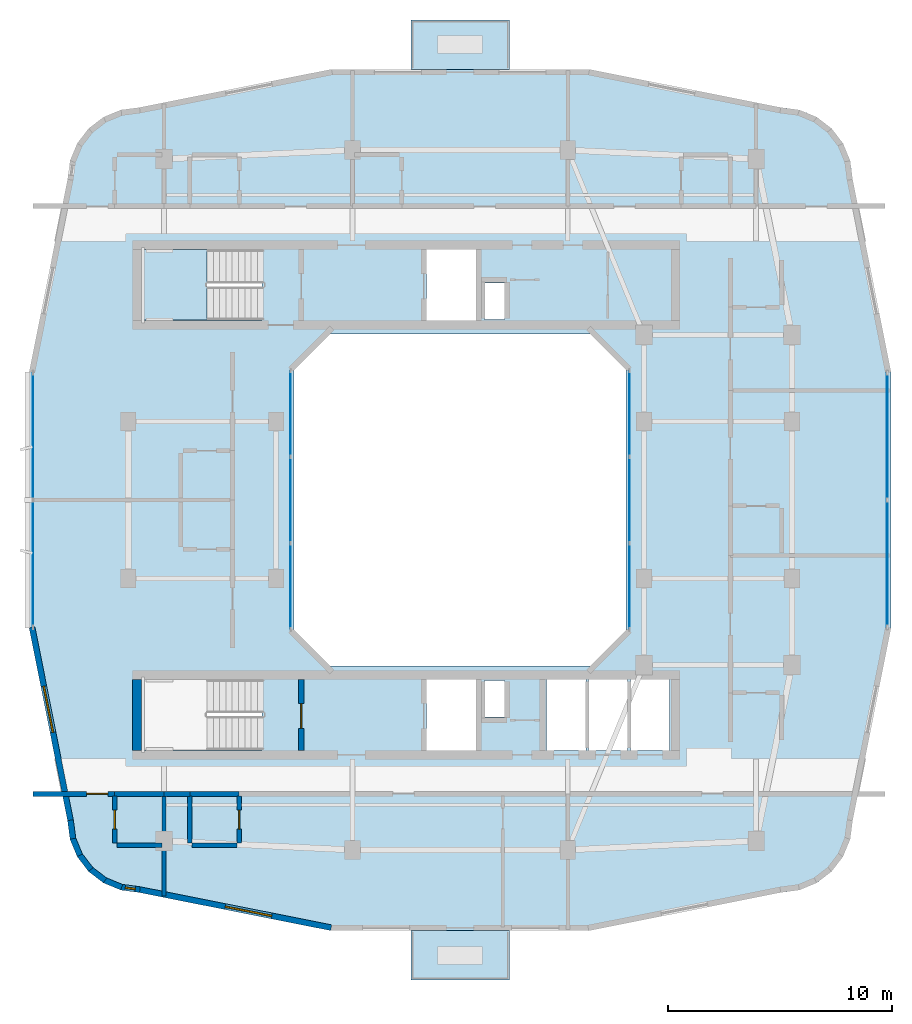
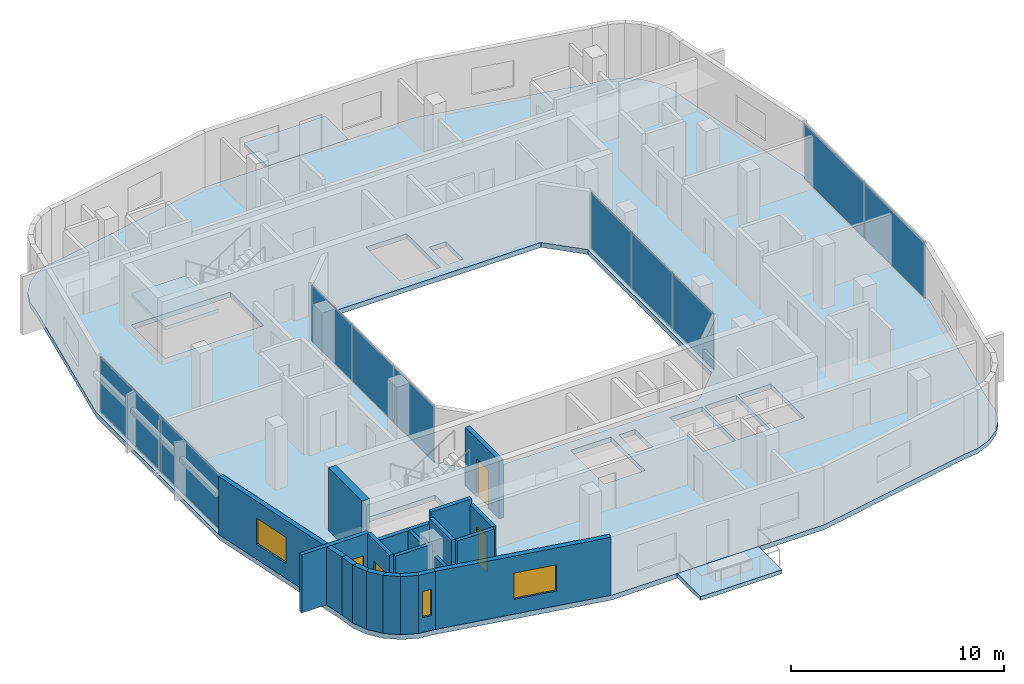
# One storey, part 5 of 13: 20 walls, 10 plates, 4 doors, 4 slabs, 3 windows, 7 openings, 5 elements without a shape of their own.
"""IFC4 building model written with IfcOpenShell, lengths in metres."""

from ifc_helpers import new_model, si_unit, derived_unit, direction, frame, frame_2d, origin, origin_2d, place, context, subcontext, project, spatial, polyline, rectangle, outline, extrude, material, layer, layer_set, type_object, element, fill, aggregate, save


model = new_model("IFC4")

# Units and contexts
model_context = context("Model", 3, precision=1e-05, world=origin(), true_north=direction((0.0, 1.0)))
body_context = subcontext(model_context, "Body", "Model", "MODEL_VIEW")
ifc_project = project(units=[si_unit("LENGTHUNIT", "METRE"), si_unit("AREAUNIT", "SQUARE_METRE"), si_unit("VOLUMEUNIT", "CUBIC_METRE"), si_unit("PLANEANGLEUNIT", "RADIAN"), si_unit("MASSUNIT", "GRAM", prefix="KILO"), derived_unit("THERMALTRANSMITTANCEUNIT", [(si_unit("POWERUNIT", "WATT"), 1), (si_unit("LENGTHUNIT", "METRE"), -2), (si_unit("THERMODYNAMICTEMPERATUREUNIT", "KELVIN"), -1)])], contexts=[model_context])

# Site, building, storey
site_placement = place(None, origin())
site = spatial("IfcSite", under=ifc_project, at=site_placement, CompositionType="ELEMENT")
building_placement = place(site_placement, origin())
building = spatial("IfcBuilding", under=site, at=building_placement, Name="Kivonza Crest Hotel", CompositionType="ELEMENT")
storey_placement = place(building_placement, frame((0.0, 0.0, 220.699951171875)))
storey = spatial("IfcBuildingStorey", under=building, at=storey_placement, Name="L60", CompositionType="ELEMENT", Elevation=220.699951171875)

# Curtain wall, plates
ifc_material_1 = material(Name="Anodised bronze aluminium and low-E double glazing", Category="aluminium")
ifc_layer_1 = layer(ifc_material_1, 0.159912109375)
ifc_layer_set_1 = layer_set([ifc_layer_1], Name="Anodised bronze aluminium and low-E double glazing")
curtain_wall_type_1 = type_object("IfcCurtainWallType", Name="CW-SYS-5", PredefinedType="NOTDEFINED", material=ifc_layer_set_1)
curtain_wall_1_placement = place(storey_placement, origin())
curtain_wall_1 = element("IfcCurtainWall", 1, at=curtain_wall_1_placement, inside=storey, type_object=curtain_wall_type_1, Name="L60 unitised curtain wall CW-WELL-T1-L60-3", PredefinedType="NOTDEFINED")
ifc_material_2 = material(Name="Solar-control low-E double glazing", Category="glass")
ifc_layer_2 = layer(ifc_material_2, 0.028076171875)
ifc_layer_set_2 = layer_set([ifc_layer_2], Name="Solar-control low-E double glazing")
plate_type_1 = type_object("IfcPlateType", Name="CW-PNL-28", PredefinedType="CURTAIN_PANEL", material=ifc_layer_set_2)
plate_1_placement = place(storey_placement, frame((28.56005859375, 21.149658203125, 0.065185546875), z_axis=(0.0, 0.0, 1.0), x_axis=(0.0, 1.0, 0.0)))
plate_1 = element("IfcPlate", 2, at=plate_1_placement, type_object=plate_type_1, Name="CW-5 panel 1.1", PredefinedType="CURTAIN_PANEL", context=body_context, shape_type="SweptSolid", body=[
    extrude(rectangle(XDim=3.769287109375, YDim=0.028076171875, at=origin_2d()), origin(), (0.0, 0.0, 1.0), 3.18994140625),
])
plate_2_placement = place(storey_placement, frame((28.56005859375, 25.0, 0.065185546875), z_axis=(0.0, 0.0, 1.0), x_axis=(0.0, 1.0, 0.0)))
plate_2 = element("IfcPlate", 3, at=plate_2_placement, type_object=plate_type_1, Name="CW-5 panel 2.1", PredefinedType="CURTAIN_PANEL", context=body_context, shape_type="SweptSolid", body=[
    extrude(rectangle(XDim=3.8017578125, YDim=0.028076171875, at=origin_2d()), origin(), (0.0, 0.0, 1.0), 3.18994140625),
])
plate_3_placement = place(storey_placement, frame((28.56005859375, 28.850341796875, 0.065185546875), z_axis=(0.0, 0.0, 1.0), x_axis=(0.0, 1.0, 0.0)))
plate_3 = element("IfcPlate", 4, at=plate_3_placement, type_object=plate_type_1, Name="CW-5 panel 3.1", PredefinedType="CURTAIN_PANEL", context=body_context, shape_type="SweptSolid", body=[
    extrude(rectangle(XDim=3.769287109375, YDim=0.028076171875, at=origin_2d()), origin(), (0.0, 0.0, 1.0), 3.18994140625),
])
aggregate(curtain_wall_1, [plate_1, plate_2, plate_3])

curtain_wall_2_placement = place(storey_placement, origin())
curtain_wall_2 = element("IfcCurtainWall", 5, at=curtain_wall_2_placement, inside=storey, type_object=curtain_wall_type_1, Name="L60 unitised curtain wall CW-WELL-T1-L60-7", PredefinedType="NOTDEFINED")
plate_4_placement = place(storey_placement, frame((13.43994140625, 28.850341796875, 0.065185546875), z_axis=(0.0, 0.0, 1.0), x_axis=(0.0, -1.0, 0.0)))
plate_4 = element("IfcPlate", 6, at=plate_4_placement, type_object=plate_type_1, Name="CW-5 panel 1.1", PredefinedType="CURTAIN_PANEL", context=body_context, shape_type="SweptSolid", body=[
    extrude(rectangle(XDim=3.769287109375, YDim=0.028076171875, at=origin_2d()), origin(), (0.0, 0.0, 1.0), 3.18994140625),
])
plate_5_placement = place(storey_placement, frame((13.43994140625, 25.0, 0.065185546875), z_axis=(0.0, 0.0, 1.0), x_axis=(0.0, -1.0, 0.0)))
plate_5 = element("IfcPlate", 7, at=plate_5_placement, type_object=plate_type_1, Name="CW-5 panel 2.1", PredefinedType="CURTAIN_PANEL", context=body_context, shape_type="SweptSolid", body=[
    extrude(rectangle(XDim=3.8017578125, YDim=0.028076171875, at=origin_2d()), origin(), (0.0, 0.0, 1.0), 3.18994140625),
])
plate_6_placement = place(storey_placement, frame((13.43994140625, 21.149658203125, 0.065185546875), z_axis=(0.0, 0.0, 1.0), x_axis=(0.0, -1.0, 0.0)))
plate_6 = element("IfcPlate", 8, at=plate_6_placement, type_object=plate_type_1, Name="CW-5 panel 3.1", PredefinedType="CURTAIN_PANEL", context=body_context, shape_type="SweptSolid", body=[
    extrude(rectangle(XDim=3.769287109375, YDim=0.028076171875, at=origin_2d()), origin(), (0.0, 0.0, 1.0), 3.18994140625),
])
aggregate(curtain_wall_2, [plate_4, plate_5, plate_6])

ifc_layer_3 = layer(ifc_material_1, 0.179931640625)
ifc_layer_set_3 = layer_set([ifc_layer_3], Name="Anodised bronze aluminium and low-E double glazing")
curtain_wall_type_2 = type_object("IfcCurtainWallType", Name="CW-SYS-3", PredefinedType="NOTDEFINED", material=ifc_layer_set_3)
curtain_wall_3_placement = place(storey_placement, origin())
curtain_wall_3 = element("IfcCurtainWall", 9, at=curtain_wall_3_placement, inside=storey, type_object=curtain_wall_type_2, Name="L60 unitised curtain wall CW-T1-L60-17", PredefinedType="NOTDEFINED")
ifc_material_3 = material(Name="Acoustic triple-laminated low-E glazing", Category="glass")
ifc_layer_4 = layer(ifc_material_3, 0.035888671875)
ifc_layer_set_4 = layer_set([ifc_layer_4], Name="Acoustic triple-laminated low-E glazing")
plate_type_2 = type_object("IfcPlateType", Name="CW-PNL-36", PredefinedType="CURTAIN_PANEL", material=ifc_layer_set_4)
plate_7_placement = place(storey_placement, frame((40.0400390625, 22.15869140625, 0.0751953125), z_axis=(0.0, 0.0, 1.0), x_axis=(0.0, 1.0, 0.0)))
plate_7 = element("IfcPlate", 10, at=plate_7_placement, type_object=plate_type_2, Name="CW-3 panel 1.1", PredefinedType="CURTAIN_PANEL", context=body_context, shape_type="SweptSolid", body=[
    extrude(rectangle(XDim=5.607421875, YDim=0.035888671875, at=origin_2d()), origin(), (0.0, 0.0, 1.0), 3.169921875),
])
plate_8_placement = place(storey_placement, frame((40.0400390625, 27.84130859375, 0.0751953125), z_axis=(0.0, 0.0, 1.0), x_axis=(0.0, 1.0, 0.0)))
plate_8 = element("IfcPlate", 11, at=plate_8_placement, type_object=plate_type_2, Name="CW-3 panel 2.1", PredefinedType="CURTAIN_PANEL", context=body_context, shape_type="SweptSolid", body=[
    extrude(rectangle(XDim=5.607421875, YDim=0.035888671875, at=origin_2d()), origin(), (0.0, 0.0, 1.0), 3.169921875),
])
aggregate(curtain_wall_3, [plate_7, plate_8])

curtain_wall_4_placement = place(storey_placement, origin())
curtain_wall_4 = element("IfcCurtainWall", 12, at=curtain_wall_4_placement, inside=storey, type_object=curtain_wall_type_2, Name="L60 unitised curtain wall CW-T1-L60-35", PredefinedType="NOTDEFINED")
plate_9_placement = place(storey_placement, frame((1.9599609375, 27.84130859375, 0.0751953125), z_axis=(0.0, 0.0, 1.0), x_axis=(0.0, -1.0, 0.0)))
plate_9 = element("IfcPlate", 13, at=plate_9_placement, type_object=plate_type_2, Name="CW-3 panel 1.1", PredefinedType="CURTAIN_PANEL", context=body_context, shape_type="SweptSolid", body=[
    extrude(rectangle(XDim=5.607421875, YDim=0.035888671875, at=origin_2d()), origin(), (0.0, 0.0, 1.0), 3.169921875),
])
plate_10_placement = place(storey_placement, frame((1.9599609375, 22.15869140625, 0.0751953125), z_axis=(0.0, 0.0, 1.0), x_axis=(0.0, -1.0, 0.0)))
plate_10 = element("IfcPlate", 14, at=plate_10_placement, type_object=plate_type_2, Name="CW-3 panel 2.1", PredefinedType="CURTAIN_PANEL", context=body_context, shape_type="SweptSolid", body=[
    extrude(rectangle(XDim=5.607421875, YDim=0.035888671875, at=origin_2d()), origin(), (0.0, 0.0, 1.0), 3.169921875),
])
aggregate(curtain_wall_4, [plate_9, plate_10])

# Slab
ifc_material_4 = material(Name="Concrete C40/50", Category="concrete")
ifc_layer_5 = layer(ifc_material_4, 0.280029296875)
ifc_layer_set_5 = layer_set([ifc_layer_5], Name="Concrete C40/50")
slab_type_1 = type_object("IfcSlabType", Name="SL-HTL-280", PredefinedType="FLOOR", material=ifc_layer_set_5)
slab_1_placement = place(storey_placement, frame((0.0, 0.0, -0.280029296875)))
element("IfcSlab", 15, at=slab_1_placement, inside=storey, type_object=slab_type_1, Name="Tower T1 L60 floor slab", PredefinedType="FLOOR", context=body_context, shape_type="SweptSolid", body=[
    extrude(outline(polyline([(3.5, 10.699951171875), (3.60888671875, 9.8720703125), (3.928955078125, 9.10009765625), (4.43701171875, 8.43701171875), (5.10009765625, 7.928955078125), (5.8720703125, 7.60888671875), (6.699951171875, 7.5), (15.239990234375, 5.800048828125), (26.760009765625, 5.800048828125), (35.300048828125, 7.5), (36.1279296875, 7.60888671875), (36.89990234375, 7.928955078125), (37.56298828125, 8.43701171875), (38.071044921875, 9.10009765625), (38.39111328125, 9.8720703125), (38.5, 10.699951171875), (40.199951171875, 19.239990234375), (40.199951171875, 30.760009765625), (38.5, 39.300048828125), (38.39111328125, 40.1279296875), (38.071044921875, 40.89990234375), (37.56298828125, 41.56298828125), (36.89990234375, 42.071044921875), (36.1279296875, 42.39111328125), (35.300048828125, 42.5), (26.760009765625, 44.199951171875), (15.239990234375, 44.199951171875), (6.699951171875, 42.5), (5.8720703125, 42.39111328125), (5.10009765625, 42.071044921875), (4.43701171875, 41.56298828125), (3.928955078125, 40.89990234375), (3.60888671875, 40.1279296875), (3.5, 39.300048828125), (1.800048828125, 30.760009765625), (1.800048828125, 19.239990234375), (3.5, 10.699951171875)]), holes=[polyline([(15.199951171875, 17.60009765625), (26.800048828125, 17.60009765625), (28.39990234375, 19.199951171875), (28.39990234375, 30.800048828125), (26.800048828125, 32.39990234375), (15.199951171875, 32.39990234375), (13.60009765625, 30.800048828125), (13.60009765625, 19.199951171875), (15.199951171875, 17.60009765625)]), polyline([(6.800048828125, 33.02001953125), (12.159912109375, 33.02001953125), (12.159912109375, 36.159912109375), (6.800048828125, 36.159912109375), (6.800048828125, 33.02001953125)]), polyline([(6.800048828125, 13.860107421875), (12.159912109375, 13.860107421875), (12.159912109375, 17.0), (6.800048828125, 17.0), (6.800048828125, 13.860107421875)]), polyline([(22.080078125, 33.0400390625), (22.969970703125, 33.0400390625), (22.969970703125, 34.679931640625), (22.080078125, 34.679931640625), (22.080078125, 33.0400390625)]), polyline([(22.080078125, 15.320068359375), (22.969970703125, 15.320068359375), (22.969970703125, 16.9599609375), (22.080078125, 16.9599609375), (22.080078125, 15.320068359375)]), polyline([(19.5, 33.0), (21.699951171875, 33.0), (21.699951171875, 36.159912109375), (19.5, 36.159912109375), (19.5, 33.0)]), polyline([(19.5, 13.840087890625), (21.699951171875, 13.840087890625), (21.699951171875, 17.0), (19.5, 17.0), (19.5, 13.840087890625)]), polyline([(24.860107421875, 13.840087890625), (26.60693359375, 13.840087890625), (26.60693359375, 17.0), (24.860107421875, 17.0), (24.860107421875, 13.840087890625)]), polyline([(26.72705078125, 13.840087890625), (28.472900390625, 13.840087890625), (28.472900390625, 17.0), (26.72705078125, 17.0), (26.72705078125, 13.840087890625)]), polyline([(28.593017578125, 13.840087890625), (30.340087890625, 13.840087890625), (30.340087890625, 17.0), (28.593017578125, 17.0), (28.593017578125, 13.840087890625)])]), origin(), (0.0, 0.0, 1.0), 0.280029296875),
])

# Stair, slab
stair_type = type_object("IfcStairType", Name="ST-DL-20R", PredefinedType="HALF_TURN_STAIR", material=ifc_material_4)
stair_placement = place(storey_placement, origin())
stair = element("IfcStair", 16, at=stair_placement, inside=storey, type_object=stair_type, Name="L60 Protected Exit Stair ST-T1-N", PredefinedType="HALF_TURN_STAIR")
ifc_layer_6 = layer(ifc_material_4, 0.199951171875)
ifc_layer_set_6 = layer_set([ifc_layer_6], Name="Concrete C40/50")
slab_type_2 = type_object("IfcSlabType", Name="SL-LAND-200", PredefinedType="LANDING", material=ifc_layer_set_6)
slab_2_placement = place(storey_placement, frame((0.0, 0.0, 1.60009765625)))
slab_2 = element("IfcSlab", 17, at=slab_2_placement, type_object=slab_type_2, Name="ST-T1-N landing 1", PredefinedType="LANDING", context=body_context, shape_type="SweptSolid", body=[
    extrude(outline(polyline([(9.719970703125, 36.159912109375), (6.800048828125, 36.159912109375), (6.800048828125, 33.02001953125), (9.719970703125, 33.02001953125), (9.719970703125, 36.159912109375)])), origin(), (0.0, 0.0, 1.0), 0.199951171875),
])
aggregate(stair, [slab_2])

# Slabs
ifc_layer_7 = layer(ifc_material_4, 0.219970703125)
ifc_layer_set_7 = layer_set([ifc_layer_7], Name="Concrete C40/50")
slab_type_3 = type_object("IfcSlabType", Name="SL-SKYG-220", PredefinedType="FLOOR", material=ifc_layer_set_7)
slab_3_placement = place(storey_placement, frame((0.0, 0.0, -0.219970703125)))
element("IfcSlab", 18, at=slab_3_placement, inside=storey, type_object=slab_type_3, Name="Tower T1 L60 SW planted sky-garden bridge", PredefinedType="FLOOR", context=body_context, shape_type="SweptSolid", body=[
    extrude(outline(polyline([(18.800048828125, 3.60009765625), (23.199951171875, 3.60009765625), (23.199951171875, 5.800048828125), (18.800048828125, 5.800048828125), (18.800048828125, 3.60009765625)])), origin(), (0.0, 0.0, 1.0), 0.219970703125),
])
slab_4_placement = place(storey_placement, frame((0.0, 0.0, -0.219970703125)))
element("IfcSlab", 19, at=slab_4_placement, inside=storey, type_object=slab_type_3, Name="Tower T1 L60 NE planted sky-garden bridge", PredefinedType="FLOOR", context=body_context, shape_type="SweptSolid", body=[
    extrude(outline(polyline([(18.800048828125, 44.199951171875), (23.199951171875, 44.199951171875), (23.199951171875, 46.39990234375), (18.800048828125, 46.39990234375), (18.800048828125, 44.199951171875)])), origin(), (0.0, 0.0, 1.0), 0.219970703125),
])

# Walls
ifc_material_5 = material(Name="High-density acoustic masonry inter-tenancy wall", Category="masonry")
ifc_layer_8 = layer(ifc_material_5, 0.179931640625)
ifc_layer_set_8 = layer_set([ifc_layer_8], Name="High-density acoustic masonry inter-tenancy wall")
wall_type_1 = type_object("IfcWallType", Name="WL-ACOU-180", PredefinedType="SOLIDWALL", material=ifc_layer_set_8)
wall_1_placement = place(storey_placement, frame((7.800048828125, 7.342041015625, 0.0), z_axis=(0.0, 0.0, 1.0), x_axis=(0.0, 1.0, 0.0)))
element("IfcWall", 20, at=wall_1_placement, inside=storey, type_object=wall_type_1, Name="L60 interior partition WA-L60-T1S-DIV1", PredefinedType="SOLIDWALL", context=body_context, shape_type="SweptSolid", body=[
    extrude(rectangle(XDim=4.557861328125, YDim=0.179931640625, at=frame_2d((2.27880859375, 0.0))), origin(), (0.0, 0.0, 1.0), 2.695068359375),
])
ifc_material_6 = material(Name="Autoclaved aerated concrete blockwork", Category="masonry")
ifc_layer_9 = layer(ifc_material_6, 0.219970703125)
ifc_layer_set_9 = layer_set([ifc_layer_9], Name="Autoclaved aerated concrete blockwork")
wall_type_2 = type_object("IfcWallType", Name="WL-ACOU-220", PredefinedType="SOLIDWALL", material=ifc_layer_set_9)
wall_2_placement = place(storey_placement, frame((5.60009765625, 11.89990234375, 0.0), z_axis=(0.0, 0.0, 1.0), x_axis=(1.0, 0.0, 0.0)))
element("IfcWall", 21, at=wall_2_placement, inside=storey, type_object=wall_type_2, Name="L60 interior partition WA-L60-S05-BCORR", PredefinedType="SOLIDWALL", context=body_context, shape_type="SweptSolid", body=[
    extrude(rectangle(XDim=2.199951171875, YDim=0.219970703125, at=frame_2d((1.10009765625, 0.0))), origin(), (0.0, 0.0, 1.0), 2.695068359375),
])

# Wall, opening, door
wall_3_placement = place(storey_placement, frame((1.9599609375, 11.89990234375, 0.0), z_axis=(0.0, 0.0, 1.0), x_axis=(1.0, 0.0, 0.0)))
wall_3 = element("IfcWall", 22, at=wall_3_placement, inside=storey, type_object=wall_type_2, Name="L60 interior partition WA-L60-S05-MCORR", PredefinedType="SOLIDWALL", context=body_context, shape_type="SweptSolid", body=[
    extrude(rectangle(XDim=3.64013671875, YDim=0.219970703125, at=frame_2d((1.820068359375, 0.0))), origin(), (0.0, 0.0, 1.0), 3.320068359375),
])
opening_1_placement = place(wall_3_placement, frame((2.389892578125, 0.0, 0.0)))
opening_1 = element("IfcOpeningElement", 23, at=opening_1_placement, cuts=wall_3, Name="Opening DU-60", PredefinedType="OPENING", context=body_context, shape_type="SweptSolid", body=[
    extrude(rectangle(XDim=0.949951171875, YDim=2.10009765625, at=frame_2d((0.47509765625, 1.050048828125))), frame((0.0, 0.1201171875, 0.0), z_axis=(0.0, -1.0, 0.0), x_axis=(1.0, 0.0, 0.0)), (0.0, 0.0, 1.0), 0.239990234375),
])
ifc_material_7 = material(Name="Hardwood timber oak", Category="wood")
door_type_1 = type_object("IfcDoorType", Name="DR-UNIT-950", OperationType="NOTDEFINED", PredefinedType="DOOR", material=ifc_material_7)
door_1_placement = place(opening_1_placement, frame((0.949951171875, 0.0, 0.0), z_axis=(0.0, 0.0, 1.0), x_axis=(-1.0, 0.0, 0.0)))
door_1 = element("IfcDoor", 24, at=door_1_placement, inside=storey, type_object=door_type_1, Name="L60 S05 guest unit entrance fire door", OperationType="SINGLE_SWING_LEFT", OverallHeight=2.10009765625, OverallWidth=0.949951171875, PredefinedType="DOOR", context=body_context, shape_type="SweptSolid", body=[
    extrude(rectangle(XDim=0.949951171875, YDim=2.10009765625, at=frame_2d((0.47509765625, 1.050048828125))), frame((0.0, 0.02490234375, 0.0), z_axis=(0.0, -1.0, 0.0), x_axis=(1.0, 0.0, 0.0)), (0.0, 0.0, 1.0), 0.050048828125),
])
fill(opening_1, door_1)

# Walls
wall_4_placement = place(storey_placement, frame((7.800048828125, 11.89990234375, 0.0), z_axis=(0.0, 0.0, 1.0), x_axis=(1.0, 0.0, 0.0)))
element("IfcWall", 25, at=wall_4_placement, inside=storey, type_object=wall_type_2, Name="L60 interior partition WA-L60-S06-XCORR", PredefinedType="SOLIDWALL", context=body_context, shape_type="SweptSolid", body=[
    extrude(rectangle(XDim=1.14990234375, YDim=0.219970703125, at=frame_2d((0.574951171875, 0.0))), origin(), (0.0, 0.0, 1.0), 2.695068359375),
])
wall_5_placement = place(storey_placement, frame((8.949951171875, 11.89990234375, 0.0), z_axis=(0.0, 0.0, 1.0), x_axis=(1.0, 0.0, 0.0)))
element("IfcWall", 26, at=wall_5_placement, inside=storey, type_object=wall_type_2, Name="L60 interior partition WA-L60-S06-BCORR", PredefinedType="SOLIDWALL", context=body_context, shape_type="SweptSolid", body=[
    extrude(rectangle(XDim=2.199951171875, YDim=0.219970703125, at=frame_2d((1.10009765625, 0.0))), origin(), (0.0, 0.0, 1.0), 3.320068359375),
])
ifc_material_8 = material(Name="Concrete C50/60", Category="concrete")
ifc_layer_10 = layer(ifc_material_8, 0.39990234375)
ifc_layer_set_10 = layer_set([ifc_layer_10], Name="Concrete C50/60")
wall_type_3 = type_object("IfcWallType", Name="WL-CORE-400", PredefinedType="SHEAR", material=ifc_layer_set_10)
wall_6_placement = place(storey_placement, frame((6.60009765625, 13.840087890625, 0.0), z_axis=(0.0, 0.0, 1.0), x_axis=(0.0, 1.0, 0.0)))
element("IfcWall", 27, at=wall_6_placement, inside=storey, type_object=wall_type_3, Name="Core wall T1-S West L60", PredefinedType="SHEAR", context=body_context, shape_type="SweptSolid", body=[
    extrude(rectangle(XDim=3.159912109375, YDim=0.39990234375, at=frame_2d((1.580078125, 0.0))), origin(), (0.0, 0.0, 1.0), 3.60009765625),
])
ifc_material_9 = material(Name="Precast concrete C40/50", Category="concrete")
ifc_layer_11 = layer(ifc_material_9, 0.260009765625)
ifc_layer_set_11 = layer_set([ifc_layer_11], Name="Precast concrete C40/50")
wall_type_4 = type_object("IfcWallType", Name="WL-EXT-260", PredefinedType="STANDARD", material=ifc_layer_set_11)
wall_7_placement = place(storey_placement, frame((3.6279296875, 10.72509765625, 0.0), z_axis=(0.0, 0.0, 1.0), x_axis=(0.130954667764, -0.9913883573, 0.0)))
element("IfcWall", 28, at=wall_7_placement, inside=storey, type_object=wall_type_4, Name="L60 T1 exterior insulated wall 1", PredefinedType="STANDARD", context=body_context, shape_type="SweptSolid", body=[
    extrude(rectangle(XDim=0.833251953125, YDim=0.260009765625, at=frame_2d((0.41650390625, 0.0))), origin(), (0.0, 0.0, 1.0), 3.320068359375),
])
wall_8_placement = place(storey_placement, frame((3.718994140625, 9.945068359375, 0.0), z_axis=(0.0, 0.0, 1.0), x_axis=(0.382985169477, -0.923754491172, 0.0)))
element("IfcWall", 29, at=wall_8_placement, inside=storey, type_object=wall_type_4, Name="L60 T1 exterior insulated wall 2", PredefinedType="STANDARD", context=body_context, shape_type="SweptSolid", body=[
    extrude(rectangle(XDim=0.85107421875, YDim=0.260009765625, at=frame_2d((0.425537109375, 0.0))), origin(), (0.0, 0.0, 1.0), 3.320068359375),
])
for number, where, z_axis, x_axis, name in (
    (30, (4.01708984375, 9.198974609375, 0.0), (0.0, 0.0, 1.0), (0.607918988881, -0.793999057278, 0.0), "L60 T1 exterior insulated wall 3"),
    (31, (4.49609375, 8.554931640625, 0.0), (0.0, 0.0, 1.0), (0.793892896323, -0.608057619941, 0.0), "L60 T1 exterior insulated wall 4"),
):
    element("IfcWall", number, at=place(storey_placement, frame(where, z_axis=z_axis, x_axis=x_axis)), inside=storey, type_object=wall_type_4, Name=name, PredefinedType="STANDARD", context=body_context, shape_type="SweptSolid", body=[
        extrude(rectangle(XDim=0.85009765625, YDim=0.260009765625, at=frame_2d((0.425048828125, 0.0))), origin(), (0.0, 0.0, 1.0), 3.320068359375),
    ])
wall_9_placement = place(storey_placement, frame((5.126953125, 8.05908203125, 0.0), z_axis=(0.0, 0.0, 1.0), x_axis=(0.923652976167, -0.383229930484, 0.0)))
element("IfcWall", 32, at=wall_9_placement, inside=storey, type_object=wall_type_4, Name="L60 T1 exterior insulated wall 5", PredefinedType="STANDARD", context=body_context, shape_type="SweptSolid", body=[
    extrude(rectangle(XDim=0.85107421875, YDim=0.260009765625, at=frame_2d((0.425537109375, 0.0))), origin(), (0.0, 0.0, 1.0), 3.320068359375),
])

# Wall, opening, window
wall_10_placement = place(storey_placement, frame((5.864013671875, 7.740966796875, 0.0), z_axis=(0.0, 0.0, 1.0), x_axis=(0.991493480548, -0.130156359936, 0.0)))
wall_10 = element("IfcWall", 33, at=wall_10_placement, inside=storey, type_object=wall_type_4, Name="L60 T1 exterior insulated wall 6", PredefinedType="STANDARD", context=body_context, shape_type="SweptSolid", body=[
    extrude(rectangle(XDim=0.868408203125, YDim=0.260009765625, at=frame_2d((0.43408203125, 0.0))), origin(), (0.0, 0.0, 1.0), 3.320068359375),
])
opening_2_placement = place(wall_10_placement, frame((0.208984375, 0.0, 0.85009765625)))
opening_2 = element("IfcOpeningElement", 34, at=opening_2_placement, cuts=wall_10, Name="Opening WN-11", PredefinedType="OPENING", context=body_context, shape_type="SweptSolid", body=[
    extrude(rectangle(XDim=0.449951171875, YDim=1.5, at=frame_2d((0.22509765625, 0.75))), frame((0.0, 0.14013671875, 0.0), z_axis=(0.0, -1.0, 0.0), x_axis=(1.0, 0.0, 0.0)), (0.0, 0.0, 1.0), 0.280029296875),
])
ifc_material_10 = material(Name="Thermally broken bronze aluminium and low-E double glazing", Category="aluminium")
window_type_1 = type_object("IfcWindowType", Name="WN-045x150", PartitioningType="SINGLE_PANEL", PredefinedType="WINDOW", material=ifc_material_10)
window_1_placement = place(opening_2_placement, origin())
window_1 = element("IfcWindow", 35, at=window_1_placement, inside=storey, type_object=window_type_1, Name="L60 corner vision window 2", OverallHeight=1.5, OverallWidth=0.449951171875, PartitioningType="SINGLE_PANEL", PredefinedType="WINDOW", context=body_context, shape_type="SweptSolid", body=[
    extrude(rectangle(XDim=0.449951171875, YDim=1.5, at=frame_2d((0.22509765625, 0.75))), frame((0.0, 0.030029296875, 0.0), z_axis=(0.0, -1.0, 0.0), x_axis=(1.0, 0.0, 0.0)), (0.0, 0.0, 1.0), 0.06005859375),
])
fill(opening_2, window_1)

wall_11_placement = place(storey_placement, frame((6.717041015625, 7.62890625, 0.0), z_axis=(0.0, 0.0, 1.0), x_axis=(0.980748582507, -0.1952747242, 0.0)))
wall_11 = element("IfcWall", 36, at=wall_11_placement, inside=storey, type_object=wall_type_4, Name="L60 T1 exterior insulated wall 7", PredefinedType="STANDARD", context=body_context, shape_type="SweptSolid", body=[
    extrude(rectangle(XDim=8.705322265625, YDim=0.260009765625, at=frame_2d((4.3525390625, 0.0))), origin(), (0.0, 0.0, 1.0), 3.320068359375),
])
opening_3_placement = place(wall_11_placement, frame((3.89208984375, 0.0, 0.85009765625)))
opening_3 = element("IfcOpeningElement", 37, at=opening_3_placement, cuts=wall_11, Name="Opening WN-04", PredefinedType="OPENING", context=body_context, shape_type="SweptSolid", body=[
    extrude(rectangle(XDim=2.10009765625, YDim=1.5, at=frame_2d((1.050048828125, 0.75))), frame((0.0, 0.14013671875, 0.0), z_axis=(0.0, -1.0, 0.0), x_axis=(1.0, 0.0, 0.0)), (0.0, 0.0, 1.0), 0.280029296875),
])
window_type_2 = type_object("IfcWindowType", Name="WN-210x150", PartitioningType="DOUBLE_PANEL_VERTICAL", PredefinedType="WINDOW", material=ifc_material_10)
window_2_placement = place(opening_3_placement, origin())
window_2 = element("IfcWindow", 38, at=window_2_placement, inside=storey, type_object=window_type_2, Name="L60 T1 facade window 7", OverallHeight=1.5, OverallWidth=2.10009765625, PartitioningType="SINGLE_PANEL", PredefinedType="WINDOW", context=body_context, shape_type="SweptSolid", body=[
    extrude(rectangle(XDim=2.10009765625, YDim=1.5, at=frame_2d((1.050048828125, 0.75))), frame((0.0, 0.030029296875, 0.0), z_axis=(0.0, -1.0, 0.0), x_axis=(1.0, 0.0, 0.0)), (0.0, 0.0, 1.0), 0.06005859375),
])
fill(opening_3, window_2)

wall_12_placement = place(storey_placement, frame((1.916015625, 19.319091796875, 0.0), z_axis=(0.0, 0.0, 1.0), x_axis=(0.195291715883, -0.980745199176, 0.0)))
wall_12 = element("IfcWall", 39, at=wall_12_placement, inside=storey, type_object=wall_type_4, Name="L60 T1 exterior insulated wall 36", PredefinedType="STANDARD", context=body_context, shape_type="SweptSolid", body=[
    extrude(rectangle(XDim=8.77099609375, YDim=0.260009765625, at=frame_2d((4.385498046875, 0.0))), origin(), (0.0, 0.0, 1.0), 3.320068359375),
])
opening_4_placement = place(wall_12_placement, frame((2.669921875, 0.0, 0.85009765625)))
opening_4 = element("IfcOpeningElement", 40, at=opening_4_placement, cuts=wall_12, Name="Opening WN-04", PredefinedType="OPENING", context=body_context, shape_type="SweptSolid", body=[
    extrude(rectangle(XDim=2.10009765625, YDim=1.5, at=frame_2d((1.050048828125, 0.75))), frame((0.0, 0.14013671875, 0.0), z_axis=(0.0, -1.0, 0.0), x_axis=(1.0, 0.0, 0.0)), (0.0, 0.0, 1.0), 0.280029296875),
])
window_3_placement = place(opening_4_placement, origin())
window_3 = element("IfcWindow", 41, at=window_3_placement, inside=storey, type_object=window_type_2, Name="L60 T1 facade window 36", OverallHeight=1.5, OverallWidth=2.10009765625, PartitioningType="SINGLE_PANEL", PredefinedType="WINDOW", context=body_context, shape_type="SweptSolid", body=[
    extrude(rectangle(XDim=2.10009765625, YDim=1.5, at=frame_2d((1.050048828125, 0.75))), frame((0.0, 0.030029296875, 0.0), z_axis=(0.0, -1.0, 0.0), x_axis=(1.0, 0.0, 0.0)), (0.0, 0.0, 1.0), 0.06005859375),
])
fill(opening_4, window_3)

# Wall, opening, door
ifc_material_11 = material(Name="Moisture-resistant plumbing chase partition wall", Category="gypsum")
ifc_layer_12 = layer(ifc_material_11, 0.199951171875)
ifc_layer_set_12 = layer_set([ifc_layer_12], Name="Moisture-resistant plumbing chase partition wall")
wall_type_5 = type_object("IfcWallType", Name="WL-PLUMB-200", PredefinedType="PLUMBINGWALL", material=ifc_layer_set_12)
wall_13_placement = place(storey_placement, frame((5.60009765625, 9.699951171875, 0.0), z_axis=(0.0, 0.0, 1.0), x_axis=(0.0, 1.0, 0.0)))
wall_13 = element("IfcWall", 42, at=wall_13_placement, inside=storey, type_object=wall_type_5, Name="L60 interior partition WW-L60-S05-BV", PredefinedType="PLUMBINGWALL", context=body_context, shape_type="SweptSolid", body=[
    extrude(rectangle(XDim=2.10009765625, YDim=0.199951171875, at=frame_2d((1.050048828125, 0.0))), origin(), (0.0, 0.0, 1.0), 3.320068359375),
])
opening_5_placement = place(wall_13_placement, frame((0.625, 0.0, 0.0)))
opening_5 = element("IfcOpeningElement", 43, at=opening_5_placement, cuts=wall_13, Name="Opening DI-85", PredefinedType="OPENING", context=body_context, shape_type="SweptSolid", body=[
    extrude(rectangle(XDim=0.85009765625, YDim=2.10009765625, at=frame_2d((0.425048828125, 1.050048828125))), frame((0.0, 0.10986328125, 0.0), z_axis=(0.0, -1.0, 0.0), x_axis=(1.0, 0.0, 0.0)), (0.0, 0.0, 1.0), 0.219970703125),
])
door_type_2 = type_object("IfcDoorType", Name="DR-INT-850", OperationType="NOTDEFINED", PredefinedType="DOOR", material=ifc_material_7)
door_2_placement = place(opening_5_placement, origin())
door_2 = element("IfcDoor", 44, at=door_2_placement, inside=storey, type_object=door_type_2, Name="L60 S05 en-suite bathroom door", OperationType="SINGLE_SWING_RIGHT", OverallHeight=2.10009765625, OverallWidth=0.85009765625, PredefinedType="DOOR", context=body_context, shape_type="SweptSolid", body=[
    extrude(rectangle(XDim=0.85009765625, YDim=2.10009765625, at=frame_2d((0.425048828125, 1.050048828125))), frame((0.0, 0.02490234375, 0.0), z_axis=(0.0, -1.0, 0.0), x_axis=(1.0, 0.0, 0.0)), (0.0, 0.0, 1.0), 0.050048828125),
])
fill(opening_5, door_2)

# Wall
wall_14_placement = place(storey_placement, frame((5.699951171875, 9.60009765625, 0.0), z_axis=(0.0, 0.0, 1.0), x_axis=(1.0, 0.0, 0.0)))
element("IfcWall", 45, at=wall_14_placement, inside=storey, type_object=wall_type_5, Name="L60 interior partition WW-L60-S05-BH", PredefinedType="PLUMBINGWALL", context=body_context, shape_type="SweptSolid", body=[
    extrude(rectangle(XDim=2.0, YDim=0.199951171875, at=frame_2d((1.0, 0.0))), origin(), (0.0, 0.0, 1.0), 3.320068359375),
])

# Wall, opening, door
wall_15_placement = place(storey_placement, frame((11.14990234375, 9.699951171875, 0.0), z_axis=(0.0, 0.0, 1.0), x_axis=(0.0, 1.0, 0.0)))
wall_15 = element("IfcWall", 46, at=wall_15_placement, inside=storey, type_object=wall_type_5, Name="L60 interior partition WW-L60-S06-BV", PredefinedType="PLUMBINGWALL", context=body_context, shape_type="SweptSolid", body=[
    extrude(rectangle(XDim=2.10009765625, YDim=0.199951171875, at=frame_2d((1.050048828125, 0.0))), origin(), (0.0, 0.0, 1.0), 3.01513671875),
])
opening_6_placement = place(wall_15_placement, frame((0.625, 0.0, 0.0)))
opening_6 = element("IfcOpeningElement", 47, at=opening_6_placement, cuts=wall_15, Name="Opening DI-85", PredefinedType="OPENING", context=body_context, shape_type="SweptSolid", body=[
    extrude(rectangle(XDim=0.85009765625, YDim=2.10009765625, at=frame_2d((0.425048828125, 1.050048828125))), frame((0.0, 0.10986328125, 0.0), z_axis=(0.0, -1.0, 0.0), x_axis=(1.0, 0.0, 0.0)), (0.0, 0.0, 1.0), 0.219970703125),
])
door_3_placement = place(opening_6_placement, frame((0.85009765625, 0.0, 0.0), z_axis=(0.0, 0.0, 1.0), x_axis=(-1.0, 0.0, 0.0)))
door_3 = element("IfcDoor", 48, at=door_3_placement, inside=storey, type_object=door_type_2, Name="L60 S06 en-suite bathroom door", OperationType="SINGLE_SWING_LEFT", OverallHeight=2.10009765625, OverallWidth=0.85009765625, PredefinedType="DOOR", context=body_context, shape_type="SweptSolid", body=[
    extrude(rectangle(XDim=0.85009765625, YDim=2.10009765625, at=frame_2d((0.425048828125, 1.050048828125))), frame((0.0, 0.02490234375, 0.0), z_axis=(0.0, -1.0, 0.0), x_axis=(1.0, 0.0, 0.0)), (0.0, 0.0, 1.0), 0.050048828125),
])
fill(opening_6, door_3)

# Walls
wall_16_placement = place(storey_placement, frame((9.050048828125, 9.60009765625, 0.0), z_axis=(0.0, 0.0, 1.0), x_axis=(1.0, 0.0, 0.0)))
element("IfcWall", 49, at=wall_16_placement, inside=storey, type_object=wall_type_5, Name="L60 interior partition WW-L60-S06-BH", PredefinedType="PLUMBINGWALL", context=body_context, shape_type="SweptSolid", body=[
    extrude(rectangle(XDim=2.0, YDim=0.199951171875, at=frame_2d((1.0, 0.0))), origin(), (0.0, 0.0, 1.0), 3.01513671875),
])
wall_17_placement = place(storey_placement, frame((8.949951171875, 9.699951171875, 0.0), z_axis=(0.0, 0.0, 1.0), x_axis=(0.0, 1.0, 0.0)))
element("IfcWall", 50, at=wall_17_placement, inside=storey, type_object=wall_type_5, Name="L60 interior partition WW-L60-S06-BVW", PredefinedType="PLUMBINGWALL", context=body_context, shape_type="SweptSolid", body=[
    extrude(rectangle(XDim=2.10009765625, YDim=0.199951171875, at=frame_2d((1.050048828125, 0.0))), origin(), (0.0, 0.0, 1.0), 3.01513671875),
])

# Wall, opening, door
ifc_layer_13 = layer(ifc_material_8, 0.25)
ifc_layer_set_13 = layer_set([ifc_layer_13], Name="Concrete C50/60")
wall_type_6 = type_object("IfcWallType", Name="WL-SHAFT-250", PredefinedType="STANDARD", material=ifc_layer_set_13)
wall_18_placement = place(storey_placement, frame((13.925048828125, 13.840087890625, 0.0), z_axis=(0.0, 0.0, 1.0), x_axis=(0.0, 1.0, 0.0)))
wall_18 = element("IfcWall", 51, at=wall_18_placement, inside=storey, type_object=wall_type_6, Name="Core shaft wall T1-S STAIR L60", PredefinedType="STANDARD", context=body_context, shape_type="SweptSolid", body=[
    extrude(rectangle(XDim=3.159912109375, YDim=0.25, at=frame_2d((1.580078125, 0.0))), origin(), (0.0, 0.0, 1.0), 3.320068359375),
])
opening_7_placement = place(wall_18_placement, frame((0.97998046875, 0.0, 0.0)))
opening_7 = element("IfcOpeningElement", 52, at=opening_7_placement, cuts=wall_18, Name="Opening DF-120", PredefinedType="OPENING", context=body_context, shape_type="SweptSolid", body=[
    extrude(rectangle(XDim=1.10009765625, YDim=2.14990234375, at=frame_2d((0.550048828125, 1.074951171875))), frame((0.0, 0.135009765625, 0.0), z_axis=(0.0, -1.0, 0.0), x_axis=(1.0, 0.0, 0.0)), (0.0, 0.0, 1.0), 0.27001953125),
])
ifc_material_12 = material(Name="Galvanised steel", Category="steel")
door_type_3 = type_object("IfcDoorType", Name="DR-FD120-1100", OperationType="NOTDEFINED", PredefinedType="DOOR", material=ifc_material_12)
door_4_placement = place(opening_7_placement, frame((1.10009765625, 0.0, 0.0), z_axis=(0.0, 0.0, 1.0), x_axis=(-1.0, 0.0, 0.0)))
door_4 = element("IfcDoor", 53, at=door_4_placement, inside=storey, type_object=door_type_3, Name="L60 T1-S stair fire door", OperationType="SINGLE_SWING_RIGHT", OverallHeight=2.14990234375, OverallWidth=1.10009765625, PredefinedType="DOOR", context=body_context, shape_type="SweptSolid", body=[
    extrude(rectangle(XDim=1.10009765625, YDim=2.14990234375, at=frame_2d((0.550048828125, 1.074951171875))), frame((0.0, 0.02490234375, 0.0), z_axis=(0.0, -1.0, 0.0), x_axis=(1.0, 0.0, 0.0)), (0.0, 0.0, 1.0), 0.050048828125),
])
fill(opening_7, door_4)

save(model, "model.ifc")
